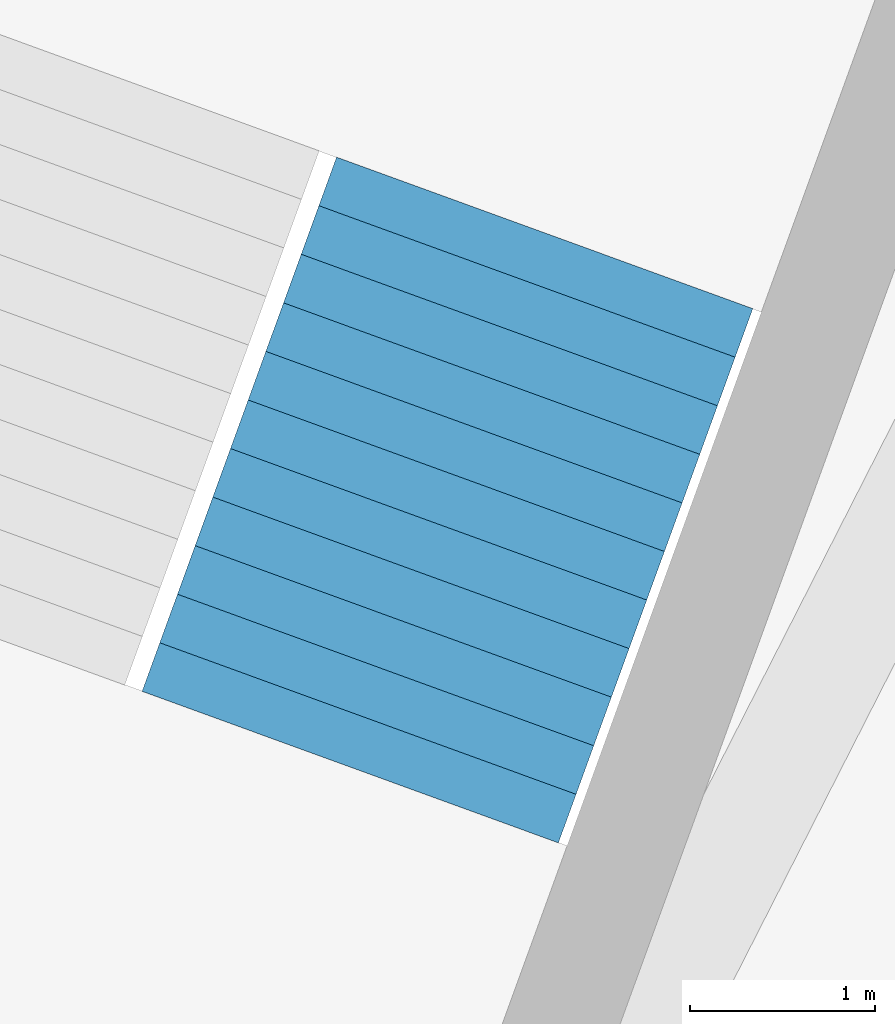
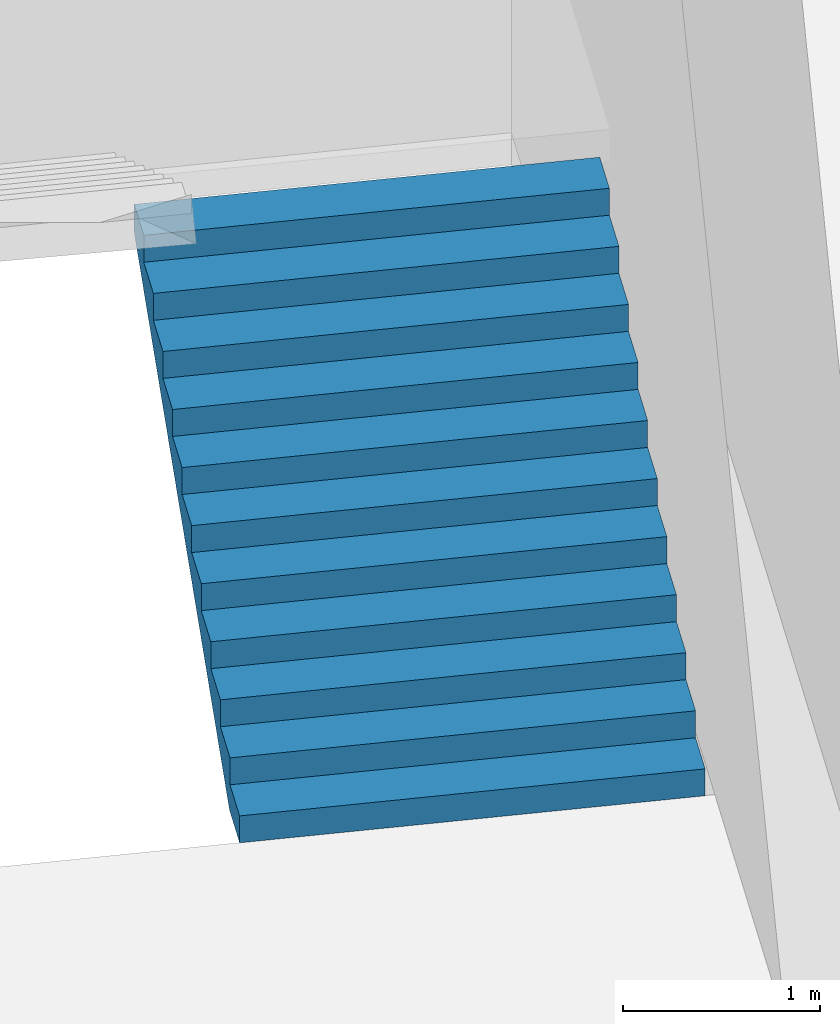
# One storey, part 46 of 74: 1 stair flight, 1 element without a shape of its own.
"""IFC4 building model written with IfcOpenShell, lengths in metres."""

from ifc_helpers import new_model, si_unit, direction, frame, origin, place, context, subcontext, project, spatial, triangles, material, type_object, element, aggregate, save


model = new_model("IFC4")

# Units and contexts
model_context = context("Model", 3, precision=1e-05, world=origin(), true_north=direction((0.0, 1.0)))
body_context = subcontext(model_context, "Body", "Model", "MODEL_VIEW")
ifc_project = project(units=[si_unit("LENGTHUNIT", "METRE"), si_unit("AREAUNIT", "SQUARE_METRE"), si_unit("VOLUMEUNIT", "CUBIC_METRE"), si_unit("PLANEANGLEUNIT", "RADIAN"), si_unit("MASSUNIT", "GRAM", prefix="KILO")], contexts=[model_context])

# Site, building, storey
site_placement = place(None, origin())
site = spatial("IfcSite", under=ifc_project, at=site_placement, CompositionType="ELEMENT")
building_placement = place(site_placement, origin())
building = spatial("IfcBuilding", under=site, at=building_placement, Name="Lantaw Convention Tower", CompositionType="ELEMENT")
storey_placement = place(building_placement, frame((0.0, 0.0, 6.5)))
storey = spatial("IfcBuildingStorey", under=building, at=storey_placement, Name="L01", CompositionType="ELEMENT", Elevation=6.5)

# Stair, stair flight
ifc_material = material(Name="Concrete C35/45", Category="concrete")
stair_type = type_object("IfcStairType", Name="Exit stair 2400 riser 166.67 in 4 flights", PredefinedType="HALF_TURN_STAIR", material=ifc_material)
stair_placement = place(storey_placement, origin())
stair = element("IfcStair", 1, at=stair_placement, inside=storey, type_object=stair_type, Name="Podium exit stair P5 L01", PredefinedType="HALF_TURN_STAIR")
stair_flight_type = type_object("IfcStairFlightType", Name="Stair flight 2400 riser 166.67", PredefinedType="STRAIGHT", material=ifc_material)
stair_flight_placement = place(storey_placement, frame((10.476318359375, 25.128662109375, 0.0), z_axis=(0.0, 0.0, 1.0), x_axis=(0.342020143326, 0.939692620786, 0.0)))
stair_flight = element("IfcStairFlight", 2, at=stair_flight_placement, type_object=stair_flight_type, Name="P5 flight 1", NumberOfRisers=12, NumberOfTreads=11, PredefinedType="STRAIGHT", RiserHeight=0.166666667, TreadLength=0.28, context=body_context, shape_type="Tessellation", body=[
    triangles([(0.0, 1.199951171875, 0.0), (0.0, 1.199951171875, 0.166666667), (0.28, 1.199951171875, 0.0), (0.28, 1.199951171875, 0.166666667), (0.28, 1.199951171875, 0.333333334), (0.29307345806906726, 1.199951171875, 0.0), (0.29307345806906726, 1.199951171875, 0.333333334), (0.56, 1.199951171875, 0.15888484670522965), (0.56, 1.199951171875, 0.333333334), (0.56, 1.199951171875, 0.500000001), (0.8400000000000001, 1.199951171875, 0.3255515137052296), (0.8400000000000001, 1.199951171875, 0.500000001), (0.8400000000000001, 1.199951171875, 0.666666668), (1.12, 1.199951171875, 0.4922181807052296), (1.12, 1.199951171875, 0.666666668), (1.12, 1.199951171875, 0.833333335), (1.4000000000000001, 1.199951171875, 0.6588848477052296), (1.4000000000000001, 1.199951171875, 0.833333335), (1.4000000000000001, 1.199951171875, 1.000000002), (1.6800000000000002, 1.199951171875, 0.8255515147052296), (1.6800000000000002, 1.199951171875, 1.000000002), (1.6800000000000002, 1.199951171875, 1.166666669), (1.9600000000000002, 1.199951171875, 0.9922181817052296), (1.9600000000000002, 1.199951171875, 1.166666669), (1.9600000000000002, 1.199951171875, 1.333333336), (2.24, 1.199951171875, 1.1588848487052295), (2.24, 1.199951171875, 1.333333336), (2.24, 1.199951171875, 1.5000000029999998), (2.5200000000000005, 1.199951171875, 1.3255515157052296), (2.5200000000000005, 1.199951171875, 1.5000000029999998), (2.5200000000000005, 1.199951171875, 1.66666667), (2.8000000000000003, 1.199951171875, 1.4922181827052294), (2.8000000000000003, 1.199951171875, 1.66666667), (2.8000000000000003, 1.199951171875, 1.833333337), (3.08, 1.199951171875, 1.6588848497052293), (3.08, 1.199951171875, 1.833333337), (0.0, -1.199951171875, 0.0), (0.0, -1.199951171875, 0.166666667), (0.28, -1.199951171875, 0.0), (0.28, -1.199951171875, 0.166666667), (0.28, -1.199951171875, 0.333333334), (0.29307345806906726, -1.199951171875, 0.0), (0.29307345806906726, -1.199951171875, 0.333333334), (0.56, -1.199951171875, 0.15888484670522965), (0.56, -1.199951171875, 0.333333334), (0.56, -1.199951171875, 0.500000001), (0.8400000000000001, -1.199951171875, 0.3255515137052296), (0.8400000000000001, -1.199951171875, 0.500000001), (0.8400000000000001, -1.199951171875, 0.666666668), (1.12, -1.199951171875, 0.4922181807052296), (1.12, -1.199951171875, 0.666666668), (1.12, -1.199951171875, 0.833333335), (1.4000000000000001, -1.199951171875, 0.6588848477052296), (1.4000000000000001, -1.199951171875, 0.833333335), (1.4000000000000001, -1.199951171875, 1.000000002), (1.6800000000000002, -1.199951171875, 0.8255515147052296), (1.6800000000000002, -1.199951171875, 1.000000002), (1.6800000000000002, -1.199951171875, 1.166666669), (1.9600000000000002, -1.199951171875, 0.9922181817052296), (1.9600000000000002, -1.199951171875, 1.166666669), (1.9600000000000002, -1.199951171875, 1.333333336), (2.24, -1.199951171875, 1.1588848487052295), (2.24, -1.199951171875, 1.333333336), (2.24, -1.199951171875, 1.5000000029999998), (2.5200000000000005, -1.199951171875, 1.3255515157052296), (2.5200000000000005, -1.199951171875, 1.5000000029999998), (2.5200000000000005, -1.199951171875, 1.66666667), (2.8000000000000003, -1.199951171875, 1.4922181827052294), (2.8000000000000003, -1.199951171875, 1.66666667), (2.8000000000000003, -1.199951171875, 1.833333337), (3.08, -1.199951171875, 1.6588848497052293), (3.08, -1.199951171875, 1.833333337), (0.0, 0.239990234375, 0.166666667), (0.0, 0.239990234375, 0.0), (0.0, 0.1199951171875, 0.166666667), (0.0, 0.1199951171875, 0.0), (0.0, 0.0, 0.166666667), (0.0, 0.0, 0.0), (0.0, -0.1199951171875, 0.166666667), (0.0, -0.1199951171875, 0.0), (0.0, -0.239990234375, 0.166666667), (0.0, -0.239990234375, 0.0), (0.28, 0.239990234375, 0.333333334), (0.28, 0.239990234375, 0.166666667), (0.28, 0.1199951171875, 0.333333334), (0.28, 0.1199951171875, 0.166666667), (0.28, 0.0, 0.333333334), (0.28, 0.0, 0.166666667), (0.28, -0.1199951171875, 0.333333334), (0.28, -0.1199951171875, 0.166666667), (0.28, -0.239990234375, 0.333333334), (0.28, -0.239990234375, 0.166666667), (0.56, 0.239990234375, 0.500000001), (0.56, 0.239990234375, 0.333333334), (0.56, 0.1199951171875, 0.500000001), (0.56, 0.1199951171875, 0.333333334), (0.56, 0.0, 0.500000001), (0.56, 0.0, 0.333333334), (0.56, -0.1199951171875, 0.500000001), (0.56, -0.1199951171875, 0.333333334), (0.56, -0.239990234375, 0.500000001), (0.56, -0.239990234375, 0.333333334), (0.8400000000000001, 0.239990234375, 0.666666668), (0.8400000000000001, 0.239990234375, 0.500000001), (0.8400000000000001, 0.1199951171875, 0.666666668), (0.8400000000000001, 0.1199951171875, 0.500000001), (0.8400000000000001, 0.0, 0.666666668), (0.8400000000000001, 0.0, 0.500000001), (0.8400000000000001, -0.1199951171875, 0.666666668), (0.8400000000000001, -0.1199951171875, 0.500000001), (0.8400000000000001, -0.239990234375, 0.666666668), (0.8400000000000001, -0.239990234375, 0.500000001), (1.12, 0.239990234375, 0.833333335), (1.12, 0.239990234375, 0.666666668), (1.12, 0.1199951171875, 0.833333335), (1.12, 0.1199951171875, 0.666666668), (1.12, 0.0, 0.833333335), (1.12, 0.0, 0.666666668), (1.12, -0.1199951171875, 0.833333335), (1.12, -0.1199951171875, 0.666666668), (1.12, -0.239990234375, 0.833333335), (1.12, -0.239990234375, 0.666666668), (1.4000000000000001, 0.239990234375, 1.000000002), (1.4000000000000001, 0.239990234375, 0.833333335), (1.4000000000000001, 0.1199951171875, 1.000000002), (1.4000000000000001, 0.1199951171875, 0.833333335), (1.4000000000000001, 0.0, 1.000000002), (1.4000000000000001, 0.0, 0.833333335), (1.4000000000000001, -0.1199951171875, 1.000000002), (1.4000000000000001, -0.1199951171875, 0.833333335), (1.4000000000000001, -0.239990234375, 1.000000002), (1.4000000000000001, -0.239990234375, 0.833333335), (1.6800000000000002, 0.239990234375, 1.166666669), (1.6800000000000002, 0.239990234375, 1.000000002), (1.6800000000000002, 0.1199951171875, 1.166666669), (1.6800000000000002, 0.1199951171875, 1.000000002), (1.6800000000000002, 0.0, 1.166666669), (1.6800000000000002, 0.0, 1.000000002), (1.6800000000000002, -0.1199951171875, 1.166666669), (1.6800000000000002, -0.1199951171875, 1.000000002), (1.6800000000000002, -0.239990234375, 1.166666669), (1.6800000000000002, -0.239990234375, 1.000000002), (1.9600000000000002, 0.239990234375, 1.333333336), (1.9600000000000002, 0.239990234375, 1.166666669), (1.9600000000000002, 0.1199951171875, 1.333333336), (1.9600000000000002, 0.1199951171875, 1.166666669), (1.9600000000000002, 0.0, 1.333333336), (1.9600000000000002, 0.0, 1.166666669), (1.9600000000000002, -0.1199951171875, 1.333333336), (1.9600000000000002, -0.1199951171875, 1.166666669), (1.9600000000000002, -0.239990234375, 1.333333336), (1.9600000000000002, -0.239990234375, 1.166666669), (2.24, 0.239990234375, 1.5000000029999998), (2.24, 0.239990234375, 1.333333336), (2.24, 0.1199951171875, 1.5000000029999998), (2.24, 0.1199951171875, 1.333333336), (2.24, 0.0, 1.5000000029999998), (2.24, 0.0, 1.333333336), (2.24, -0.1199951171875, 1.5000000029999998), (2.24, -0.1199951171875, 1.333333336), (2.24, -0.239990234375, 1.5000000029999998), (2.24, -0.239990234375, 1.333333336), (2.5200000000000005, 0.239990234375, 1.66666667), (2.5200000000000005, 0.239990234375, 1.5000000029999998), (2.5200000000000005, 0.1199951171875, 1.66666667), (2.5200000000000005, 0.1199951171875, 1.5000000029999998), (2.5200000000000005, 0.0, 1.66666667), (2.5200000000000005, 0.0, 1.5000000029999998), (2.5200000000000005, -0.1199951171875, 1.66666667), (2.5200000000000005, -0.1199951171875, 1.5000000029999998), (2.5200000000000005, -0.239990234375, 1.66666667), (2.5200000000000005, -0.239990234375, 1.5000000029999998), (2.8000000000000003, 0.239990234375, 1.833333337), (2.8000000000000003, 0.239990234375, 1.66666667), (2.8000000000000003, 0.1199951171875, 1.833333337), (2.8000000000000003, 0.1199951171875, 1.66666667), (2.8000000000000003, 0.0, 1.833333337), (2.8000000000000003, 0.0, 1.66666667), (2.8000000000000003, -0.1199951171875, 1.833333337), (2.8000000000000003, -0.1199951171875, 1.66666667), (2.8000000000000003, -0.239990234375, 1.833333337), (2.8000000000000003, -0.239990234375, 1.66666667), (0.29307345806906726, 0.239990234375, 0.333333334), (0.29307345806906726, 0.1199951171875, 0.333333334), (0.29307345806906726, 0.0, 0.333333334), (0.29307345806906726, -0.1199951171875, 0.333333334), (0.29307345806906726, -0.239990234375, 0.333333334), (3.08, 0.239990234375, 1.833333337), (3.08, 0.1199951171875, 1.833333337), (3.08, 0.0, 1.833333337), (3.08, -0.1199951171875, 1.833333337), (3.08, -0.239990234375, 1.833333337), (3.08, 0.239990234375, 1.6588848497052293), (3.08, 0.1199951171875, 1.6588848497052293), (3.08, 0.0, 1.6588848497052293), (3.08, -0.1199951171875, 1.6588848497052293), (3.08, -0.239990234375, 1.6588848497052293), (2.8000000000000003, 0.239990234375, 1.4922181827052294), (2.8000000000000003, 0.1199951171875, 1.4922181827052294), (2.8000000000000003, 0.0, 1.4922181827052294), (2.8000000000000003, -0.1199951171875, 1.4922181827052294), (2.8000000000000003, -0.239990234375, 1.4922181827052294), (2.5200000000000005, 0.239990234375, 1.3255515157052296), (2.5200000000000005, 0.1199951171875, 1.3255515157052296), (2.5200000000000005, 0.0, 1.3255515157052296), (2.5200000000000005, -0.1199951171875, 1.3255515157052296), (2.5200000000000005, -0.239990234375, 1.3255515157052296), (2.24, 0.239990234375, 1.1588848487052295), (2.24, 0.1199951171875, 1.1588848487052295), (2.24, 0.0, 1.1588848487052295), (2.24, -0.1199951171875, 1.1588848487052295), (2.24, -0.239990234375, 1.1588848487052295), (1.9600000000000002, 0.239990234375, 0.9922181817052296), (1.9600000000000002, 0.1199951171875, 0.9922181817052296), (1.9600000000000002, 0.0, 0.9922181817052296), (1.9600000000000002, -0.1199951171875, 0.9922181817052296), (1.9600000000000002, -0.239990234375, 0.9922181817052296), (1.6800000000000002, 0.239990234375, 0.8255515147052296), (1.6800000000000002, 0.1199951171875, 0.8255515147052296), (1.6800000000000002, 0.0, 0.8255515147052296), (1.6800000000000002, -0.1199951171875, 0.8255515147052296), (1.6800000000000002, -0.239990234375, 0.8255515147052296), (1.4000000000000001, 0.239990234375, 0.6588848477052296), (1.4000000000000001, 0.1199951171875, 0.6588848477052296), (1.4000000000000001, 0.0, 0.6588848477052296), (1.4000000000000001, -0.1199951171875, 0.6588848477052296), (1.4000000000000001, -0.239990234375, 0.6588848477052296), (1.12, 0.239990234375, 0.4922181807052296), (1.12, 0.1199951171875, 0.4922181807052296), (1.12, 0.0, 0.4922181807052296), (1.12, -0.1199951171875, 0.4922181807052296), (1.12, -0.239990234375, 0.4922181807052296), (0.8400000000000001, 0.239990234375, 0.3255515137052296), (0.8400000000000001, 0.1199951171875, 0.3255515137052296), (0.8400000000000001, 0.0, 0.3255515137052296), (0.8400000000000001, -0.1199951171875, 0.3255515137052296), (0.8400000000000001, -0.239990234375, 0.3255515137052296), (0.56, 0.239990234375, 0.15888484670522965), (0.56, 0.1199951171875, 0.15888484670522965), (0.56, 0.0, 0.15888484670522965), (0.56, -0.1199951171875, 0.15888484670522965), (0.56, -0.239990234375, 0.15888484670522965), (0.29307345806906726, 0.239990234375, 0.0), (0.29307345806906726, 0.1199951171875, 0.0), (0.29307345806906726, 0.0, 0.0), (0.29307345806906726, -0.1199951171875, 0.0), (0.29307345806906726, -0.239990234375, 0.0), (0.28, 0.239990234375, 0.0), (0.28, 0.1199951171875, 0.0), (0.28, 0.0, 0.0), (0.28, -0.1199951171875, 0.0), (0.28, -0.239990234375, 0.0)], [[1, 4, 3], [1, 2, 4], [3, 4, 6], [4, 7, 6], [4, 5, 7], [6, 9, 8], [6, 7, 9], [8, 9, 11], [9, 12, 11], [9, 10, 12], [11, 12, 14], [12, 15, 14], [12, 13, 15], [14, 15, 17], [15, 18, 17], [15, 16, 18], [17, 18, 20], [18, 21, 20], [18, 19, 21], [20, 21, 23], [21, 24, 23], [21, 22, 24], [23, 24, 26], [24, 27, 26], [24, 25, 27], [26, 27, 29], [27, 30, 29], [27, 28, 30], [29, 30, 32], [30, 33, 32], [30, 31, 33], [32, 33, 35], [33, 36, 35], [33, 34, 36], [37, 39, 40], [37, 40, 38], [39, 42, 40], [40, 42, 43], [40, 43, 41], [42, 44, 45], [42, 45, 43], [44, 47, 45], [45, 47, 48], [45, 48, 46], [47, 50, 48], [48, 50, 51], [48, 51, 49], [50, 53, 51], [51, 53, 54], [51, 54, 52], [53, 56, 54], [54, 56, 57], [54, 57, 55], [56, 59, 57], [57, 59, 60], [57, 60, 58], [59, 62, 60], [60, 62, 63], [60, 63, 61], [62, 65, 63], [63, 65, 66], [63, 66, 64], [65, 68, 66], [66, 68, 69], [66, 69, 67], [68, 71, 69], [69, 71, 72], [69, 72, 70], [1, 73, 2], [1, 74, 73], [74, 75, 73], [74, 76, 75], [76, 77, 75], [76, 78, 77], [78, 79, 77], [78, 80, 79], [80, 81, 79], [80, 82, 81], [82, 38, 81], [82, 37, 38], [4, 83, 5], [4, 84, 83], [84, 85, 83], [84, 86, 85], [86, 87, 85], [86, 88, 87], [88, 89, 87], [88, 90, 89], [90, 91, 89], [90, 92, 91], [92, 41, 91], [92, 40, 41], [9, 93, 10], [9, 94, 93], [94, 95, 93], [94, 96, 95], [96, 97, 95], [96, 98, 97], [98, 99, 97], [98, 100, 99], [100, 101, 99], [100, 102, 101], [102, 46, 101], [102, 45, 46], [12, 103, 13], [12, 104, 103], [104, 105, 103], [104, 106, 105], [106, 107, 105], [106, 108, 107], [108, 109, 107], [108, 110, 109], [110, 111, 109], [110, 112, 111], [112, 49, 111], [112, 48, 49], [15, 113, 16], [15, 114, 113], [114, 115, 113], [114, 116, 115], [116, 117, 115], [116, 118, 117], [118, 119, 117], [118, 120, 119], [120, 121, 119], [120, 122, 121], [122, 52, 121], [122, 51, 52], [18, 123, 19], [18, 124, 123], [124, 125, 123], [124, 126, 125], [126, 127, 125], [126, 128, 127], [128, 129, 127], [128, 130, 129], [130, 131, 129], [130, 132, 131], [132, 55, 131], [132, 54, 55], [21, 133, 22], [21, 134, 133], [134, 135, 133], [134, 136, 135], [136, 137, 135], [136, 138, 137], [138, 139, 137], [138, 140, 139], [140, 141, 139], [140, 142, 141], [142, 58, 141], [142, 57, 58], [24, 143, 25], [24, 144, 143], [144, 145, 143], [144, 146, 145], [146, 147, 145], [146, 148, 147], [148, 149, 147], [148, 150, 149], [150, 151, 149], [150, 152, 151], [152, 61, 151], [152, 60, 61], [27, 153, 28], [27, 154, 153], [154, 155, 153], [154, 156, 155], [156, 157, 155], [156, 158, 157], [158, 159, 157], [158, 160, 159], [160, 161, 159], [160, 162, 161], [162, 64, 161], [162, 63, 64], [30, 163, 31], [30, 164, 163], [164, 165, 163], [164, 166, 165], [166, 167, 165], [166, 168, 167], [168, 169, 167], [168, 170, 169], [170, 171, 169], [170, 172, 171], [172, 67, 171], [172, 66, 67], [33, 173, 34], [33, 174, 173], [174, 175, 173], [174, 176, 175], [176, 177, 175], [176, 178, 177], [178, 179, 177], [178, 180, 179], [180, 181, 179], [180, 182, 181], [182, 70, 181], [182, 69, 70], [2, 84, 4], [2, 73, 84], [73, 86, 84], [73, 75, 86], [75, 88, 86], [75, 77, 88], [77, 90, 88], [77, 79, 90], [79, 92, 90], [79, 81, 92], [81, 40, 92], [81, 38, 40], [5, 183, 7], [5, 83, 183], [83, 184, 183], [83, 85, 184], [85, 185, 184], [85, 87, 185], [87, 186, 185], [87, 89, 186], [89, 187, 186], [89, 91, 187], [91, 43, 187], [91, 41, 43], [7, 94, 9], [7, 183, 94], [183, 96, 94], [183, 184, 96], [184, 98, 96], [184, 185, 98], [185, 100, 98], [185, 186, 100], [186, 102, 100], [186, 187, 102], [187, 45, 102], [187, 43, 45], [10, 104, 12], [10, 93, 104], [93, 106, 104], [93, 95, 106], [95, 108, 106], [95, 97, 108], [97, 110, 108], [97, 99, 110], [99, 112, 110], [99, 101, 112], [101, 48, 112], [101, 46, 48], [13, 114, 15], [13, 103, 114], [103, 116, 114], [103, 105, 116], [105, 118, 116], [105, 107, 118], [107, 120, 118], [107, 109, 120], [109, 122, 120], [109, 111, 122], [111, 51, 122], [111, 49, 51], [16, 124, 18], [16, 113, 124], [113, 126, 124], [113, 115, 126], [115, 128, 126], [115, 117, 128], [117, 130, 128], [117, 119, 130], [119, 132, 130], [119, 121, 132], [121, 54, 132], [121, 52, 54], [19, 134, 21], [19, 123, 134], [123, 136, 134], [123, 125, 136], [125, 138, 136], [125, 127, 138], [127, 140, 138], [127, 129, 140], [129, 142, 140], [129, 131, 142], [131, 57, 142], [131, 55, 57], [22, 144, 24], [22, 133, 144], [133, 146, 144], [133, 135, 146], [135, 148, 146], [135, 137, 148], [137, 150, 148], [137, 139, 150], [139, 152, 150], [139, 141, 152], [141, 60, 152], [141, 58, 60], [25, 154, 27], [25, 143, 154], [143, 156, 154], [143, 145, 156], [145, 158, 156], [145, 147, 158], [147, 160, 158], [147, 149, 160], [149, 162, 160], [149, 151, 162], [151, 63, 162], [151, 61, 63], [28, 164, 30], [28, 153, 164], [153, 166, 164], [153, 155, 166], [155, 168, 166], [155, 157, 168], [157, 170, 168], [157, 159, 170], [159, 172, 170], [159, 161, 172], [161, 66, 172], [161, 64, 66], [31, 174, 33], [31, 163, 174], [163, 176, 174], [163, 165, 176], [165, 178, 176], [165, 167, 178], [167, 180, 178], [167, 169, 180], [169, 182, 180], [169, 171, 182], [171, 69, 182], [171, 67, 69], [34, 188, 36], [34, 173, 188], [173, 189, 188], [173, 175, 189], [175, 190, 189], [175, 177, 190], [177, 191, 190], [177, 179, 191], [179, 192, 191], [179, 181, 192], [181, 72, 192], [181, 70, 72], [36, 193, 35], [36, 188, 193], [188, 194, 193], [188, 189, 194], [189, 195, 194], [189, 190, 195], [190, 196, 195], [190, 191, 196], [191, 197, 196], [191, 192, 197], [192, 71, 197], [192, 72, 71], [35, 198, 32], [35, 193, 198], [193, 199, 198], [193, 194, 199], [194, 200, 199], [194, 195, 200], [195, 201, 200], [195, 196, 201], [196, 202, 201], [196, 197, 202], [197, 68, 202], [197, 71, 68], [32, 203, 29], [32, 198, 203], [198, 204, 203], [198, 199, 204], [199, 205, 204], [199, 200, 205], [200, 206, 205], [200, 201, 206], [201, 207, 206], [201, 202, 207], [202, 65, 207], [202, 68, 65], [29, 208, 26], [29, 203, 208], [203, 209, 208], [203, 204, 209], [204, 210, 209], [204, 205, 210], [205, 211, 210], [205, 206, 211], [206, 212, 211], [206, 207, 212], [207, 62, 212], [207, 65, 62], [26, 213, 23], [26, 208, 213], [208, 214, 213], [208, 209, 214], [209, 215, 214], [209, 210, 215], [210, 216, 215], [210, 211, 216], [211, 217, 216], [211, 212, 217], [212, 59, 217], [212, 62, 59], [23, 218, 20], [23, 213, 218], [213, 219, 218], [213, 214, 219], [214, 220, 219], [214, 215, 220], [215, 221, 220], [215, 216, 221], [216, 222, 221], [216, 217, 222], [217, 56, 222], [217, 59, 56], [20, 223, 17], [20, 218, 223], [218, 224, 223], [218, 219, 224], [219, 225, 224], [219, 220, 225], [220, 226, 225], [220, 221, 226], [221, 227, 226], [221, 222, 227], [222, 53, 227], [222, 56, 53], [17, 228, 14], [17, 223, 228], [223, 229, 228], [223, 224, 229], [224, 230, 229], [224, 225, 230], [225, 231, 230], [225, 226, 231], [226, 232, 231], [226, 227, 232], [227, 50, 232], [227, 53, 50], [14, 233, 11], [14, 228, 233], [228, 234, 233], [228, 229, 234], [229, 235, 234], [229, 230, 235], [230, 236, 235], [230, 231, 236], [231, 237, 236], [231, 232, 237], [232, 47, 237], [232, 50, 47], [11, 238, 8], [11, 233, 238], [233, 239, 238], [233, 234, 239], [234, 240, 239], [234, 235, 240], [235, 241, 240], [235, 236, 241], [236, 242, 241], [236, 237, 242], [237, 44, 242], [237, 47, 44], [8, 243, 6], [8, 238, 243], [238, 244, 243], [238, 239, 244], [239, 245, 244], [239, 240, 245], [240, 246, 245], [240, 241, 246], [241, 247, 246], [241, 242, 247], [242, 42, 247], [242, 44, 42], [6, 248, 3], [6, 243, 248], [243, 249, 248], [243, 244, 249], [244, 250, 249], [244, 245, 250], [245, 251, 250], [245, 246, 251], [246, 252, 251], [246, 247, 252], [247, 39, 252], [247, 42, 39], [3, 74, 1], [3, 248, 74], [248, 76, 74], [248, 249, 76], [249, 78, 76], [249, 250, 78], [250, 80, 78], [250, 251, 80], [251, 82, 80], [251, 252, 82], [252, 37, 82], [252, 39, 37]], closed=True),
])
aggregate(stair, [stair_flight])

save(model, "model.ifc")
